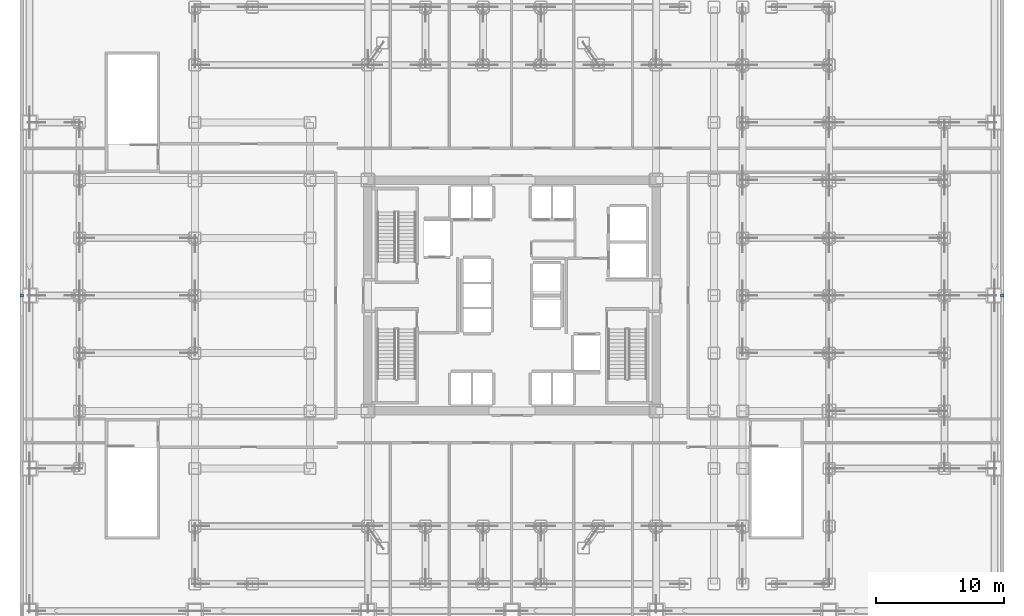
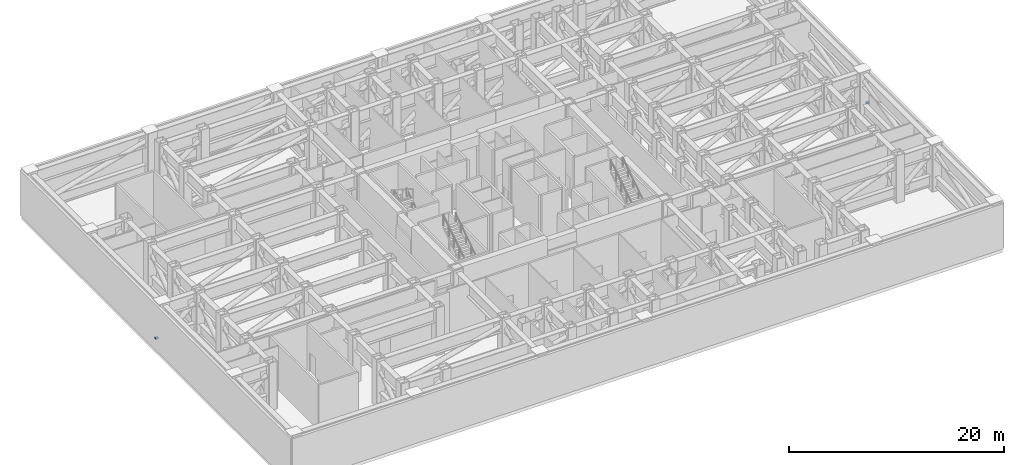
# One storey, part 14 of 17: 2 discrete accessories.
"""IFC4 building model written with IfcOpenShell, lengths in metres."""

from ifc_helpers import new_model, si_unit, direction, frame, origin, origin_2d, place, context, subcontext, project, spatial, rectangle, extrude, source, transform, mapped, material, type_object, element, save


model = new_model("IFC4")

# Units and contexts
model_context = context("Model", 3, precision=1e-05, world=origin(), true_north=direction((0.0, 1.0)))
body_context = subcontext(model_context, "Body", "Model", "MODEL_VIEW")
ifc_project = project(units=[si_unit("LENGTHUNIT", "METRE"), si_unit("AREAUNIT", "SQUARE_METRE"), si_unit("VOLUMEUNIT", "CUBIC_METRE"), si_unit("PLANEANGLEUNIT", "RADIAN"), si_unit("MASSUNIT", "GRAM", prefix="KILO")], contexts=[model_context])

# Site, building, storey
site_placement = place(None, origin())
site = spatial("IfcSite", under=ifc_project, at=site_placement, CompositionType="ELEMENT")
building_placement = place(site_placement, origin())
building = spatial("IfcBuilding", under=site, at=building_placement, Name="Nefas-Gora Pilgrimage Tower", CompositionType="ELEMENT")
storey_placement = place(building_placement, frame((0.0, 0.0, 27.60009765625)))
storey = spatial("IfcBuildingStorey", under=building, at=storey_placement, Name="L05", CompositionType="ELEMENT", Elevation=27.60009765625)

# Discrete accessories
ifc_material = material(Name="Hot-dip galvanised steel S355", Category="steel")
discrete_accessory_type = type_object("IfcDiscreteAccessoryType", Name="ACC-BRACKET-STL", PredefinedType="BRACKET", material=ifc_material)
shared_shape = source(origin(), body_context, "Body", "SweptSolid", [
    extrude(rectangle(XDim=0.239990234375, YDim=0.280029296875, at=origin_2d()), origin(), (0.0, 0.0, 1.0), 0.199951171875),
])
for number, where, z_axis, x_axis, name in (
    (1, (38.25, 0.0, 1.19970703125), (0.0, 0.0, 1.0), (0.0, 1.0, 0.0), "L05 Louvre Support Bracket 1"),
    (2, (-38.25, 0.0, 1.19970703125), (0.0, 0.0, 1.0), (0.0, -1.0, 0.0), "L05 Louvre Support Bracket 3"),
):
    element("IfcDiscreteAccessory", number, at=place(storey_placement, frame(where, z_axis=z_axis, x_axis=x_axis)), inside=storey, type_object=discrete_accessory_type, Name=name, PredefinedType="BRACKET", context=body_context, shape_type="MappedRepresentation", body=[
        mapped(shared_shape, transform((0.0, 0.0, 0.0), x_axis=(1.0, 0.0, 0.0), y_axis=(0.0, 1.0, 0.0), z_axis=(0.0, 0.0, 1.0), scale=1.0)),
    ])

save(model, "model.ifc")
